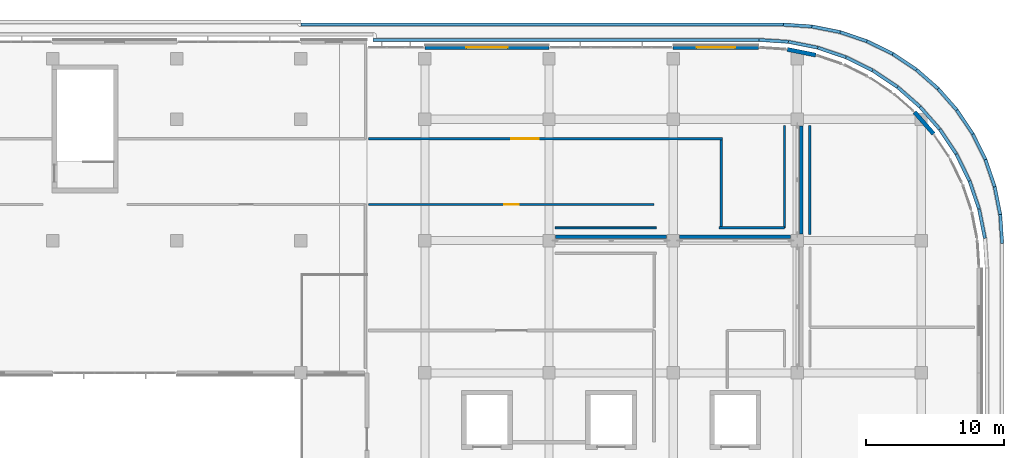
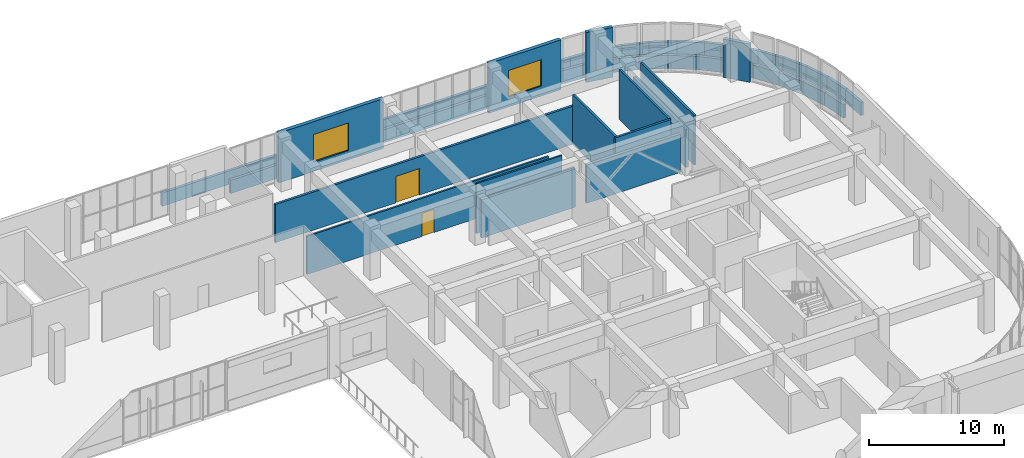
# One storey, part 73 of 96: 39 walls, 2 doors, 2 windows, 4 openings.
"""IFC4 building model written with IfcOpenShell, lengths in metres."""

from ifc_helpers import new_model, si_unit, direction, frame, frame_2d, origin, place, context, subcontext, project, spatial, rectangle, extrude, material, layer, layer_set, type_object, element, fill, save


model = new_model("IFC4")

# Units and contexts
model_context = context("Model", 3, precision=1e-05, world=origin(), true_north=direction((0.0, 1.0)))
body_context = subcontext(model_context, "Body", "Model", "MODEL_VIEW")
ifc_project = project(units=[si_unit("LENGTHUNIT", "METRE"), si_unit("AREAUNIT", "SQUARE_METRE"), si_unit("VOLUMEUNIT", "CUBIC_METRE"), si_unit("PLANEANGLEUNIT", "RADIAN"), si_unit("MASSUNIT", "GRAM", prefix="KILO")], contexts=[model_context])

# Site, building, storey
site_placement = place(None, origin())
site = spatial("IfcSite", under=ifc_project, at=site_placement, CompositionType="ELEMENT")
building_placement = place(site_placement, origin())
building = spatial("IfcBuilding", under=site, at=building_placement, Name="Cendralis Terraced Arcade", CompositionType="ELEMENT")
storey_placement = place(building_placement, frame((0.0, 0.0, 10.199951171875)))
storey = spatial("IfcBuildingStorey", under=building, at=storey_placement, Name="L02", CompositionType="ELEMENT", Elevation=10.199951171875)

# Wall, opening, window
ifc_material_1 = material(Name="Precast concrete f'c 40 MPa", Category="concrete")
ifc_layer_1 = layer(ifc_material_1, 0.300048828125, Name="WL-EXT-GRC-300")
ifc_layer_set_1 = layer_set([ifc_layer_1], Name="Precast concrete f'c 40 MPa")
wall_type_1 = type_object("IfcWallType", Name="WL-EXT-GRC-300", PredefinedType="SOLIDWALL", material=ifc_layer_set_1)
wall_1_placement = place(storey_placement, frame((130.199951171875, 112.39990234375, 0.0), z_axis=(0.0, 0.0, 1.0), x_axis=(1.0, 0.0, 0.0)))
wall_1 = element("IfcWall", 1, at=wall_1_placement, inside=storey, type_object=wall_type_1, Name="Exterior Architectural Wall EW-L02-0184", PredefinedType="SOLIDWALL", context=body_context, shape_type="SweptSolid", body=[
    extrude(rectangle(XDim=9.0, YDim=0.300048828125, at=frame_2d((4.5, 0.0))), origin(), (0.0, 0.0, 1.0), 4.51513671875),
])
opening_1_placement = place(wall_1_placement, frame((3.0, 0.0, 0.85009765625)))
opening_1 = element("IfcOpeningElement", 2, at=opening_1_placement, cuts=wall_1, Name="Opening W-08", PredefinedType="OPENING", context=body_context, shape_type="SweptSolid", body=[
    extrude(rectangle(XDim=3.0, YDim=2.5, at=frame_2d((1.5, 1.25))), frame((0.0, 0.162109375, 0.0), z_axis=(0.0, -1.0, 0.0), x_axis=(1.0, 0.0, 0.0)), (0.0, 0.0, 1.0), 0.323974609375),
])
ifc_material_2 = material(Name="Tempered solar control laminated glass", Category="glass")
window_type_1 = type_object("IfcWindowType", Name="WN-F2-3000x2500", PartitioningType="SINGLE_PANEL", PredefinedType="WINDOW", material=ifc_material_2)
window_1_placement = place(opening_1_placement, origin())
window_1 = element("IfcWindow", 3, at=window_1_placement, inside=storey, type_object=window_type_1, Name="Exterior Solar-Control Window WN-L02-0119", OverallHeight=2.5, OverallWidth=3.0, PartitioningType="SINGLE_PANEL", PredefinedType="WINDOW", context=body_context, shape_type="SweptSolid", body=[
    extrude(rectangle(XDim=3.0, YDim=2.5, at=frame_2d((1.5, 1.25))), frame((0.0, 0.030029296875, 0.0), z_axis=(0.0, -1.0, 0.0), x_axis=(1.0, 0.0, 0.0)), (0.0, 0.0, 1.0), 0.06005859375),
])
fill(opening_1, window_1)

wall_2_placement = place(storey_placement, frame((148.199951171875, 112.39990234375, 0.0), z_axis=(0.0, 0.0, 1.0), x_axis=(1.0, 0.0, 0.0)))
wall_2 = element("IfcWall", 4, at=wall_2_placement, inside=storey, type_object=wall_type_1, Name="Exterior Architectural Wall EW-L02-0185", PredefinedType="SOLIDWALL", context=body_context, shape_type="SweptSolid", body=[
    extrude(rectangle(XDim=6.199951171875, YDim=0.300048828125, at=frame_2d((3.10009765625, 0.0))), origin(), (0.0, 0.0, 1.0), 4.51513671875),
])
opening_2_placement = place(wall_2_placement, frame((1.699951171875, 0.0, 0.89990234375)))
opening_2 = element("IfcOpeningElement", 5, at=opening_2_placement, cuts=wall_2, Name="Opening W-09", PredefinedType="OPENING", context=body_context, shape_type="SweptSolid", body=[
    extrude(rectangle(XDim=2.800048828125, YDim=2.39990234375, at=frame_2d((1.39990234375, 1.199951171875))), frame((0.0, 0.162109375, 0.0), z_axis=(0.0, -1.0, 0.0), x_axis=(1.0, 0.0, 0.0)), (0.0, 0.0, 1.0), 0.323974609375),
])
window_type_2 = type_object("IfcWindowType", Name="WN-F2-2800x2400", PartitioningType="SINGLE_PANEL", PredefinedType="WINDOW", material=ifc_material_2)
window_2_placement = place(opening_2_placement, origin())
window_2 = element("IfcWindow", 6, at=window_2_placement, inside=storey, type_object=window_type_2, Name="Exterior Solar-Control Window WN-L02-0120", OverallHeight=2.39990234375, OverallWidth=2.800048828125, PartitioningType="SINGLE_PANEL", PredefinedType="WINDOW", context=body_context, shape_type="SweptSolid", body=[
    extrude(rectangle(XDim=2.800048828125, YDim=2.39990234375, at=frame_2d((1.39990234375, 1.199951171875))), frame((0.0, 0.030029296875, 0.0), z_axis=(0.0, -1.0, 0.0), x_axis=(1.0, 0.0, 0.0)), (0.0, 0.0, 1.0), 0.06005859375),
])
fill(opening_2, window_2)

# Walls
wall_3_placement = place(storey_placement, frame((156.48828125, 112.26318359375, 0.0), z_axis=(0.0, 0.0, 1.0), x_axis=(0.980773118469, -0.195151454234, 0.0)))
element("IfcWall", 7, at=wall_3_placement, inside=storey, type_object=wall_type_1, Name="Exterior Architectural Wall EW-L02-0186", PredefinedType="SOLIDWALL", context=body_context, shape_type="SweptSolid", body=[
    extrude(rectangle(XDim=2.093017578125, YDim=0.300048828125, at=frame_2d((1.04638671875, 0.0))), origin(), (0.0, 0.0, 1.0), 4.51513671875),
])
wall_4_placement = place(storey_placement, frame((165.713623046875, 107.713623046875, 0.0), z_axis=(0.0, 0.0, 1.0), x_axis=(0.659404278404, -0.751788532516, 0.0)))
element("IfcWall", 8, at=wall_4_placement, inside=storey, type_object=wall_type_1, Name="Exterior Architectural Wall EW-L02-0187", PredefinedType="SOLIDWALL", context=body_context, shape_type="SweptSolid", body=[
    extrude(rectangle(XDim=2.093017578125, YDim=0.300048828125, at=frame_2d((1.04638671875, 0.0))), origin(), (0.0, 0.0, 1.0), 3.455078125),
])
ifc_material_3 = material(Name="Autoclaved aerated concrete blockwork", Category="masonry")
ifc_layer_2 = layer(ifc_material_3, 0.260009765625, Name="WL-FIRE-260")
ifc_layer_set_2 = layer_set([ifc_layer_2], Name="Autoclaved aerated concrete blockwork")
wall_type_2 = type_object("IfcWallType", Name="WL-FIRE-260", PredefinedType="PARTITIONING", material=ifc_layer_set_2)
for number, where, z_axis, x_axis, name in (
    (9, (139.679931640625, 98.679931640625, 0.0), (0.0, 0.0, 1.0), (1.0, 0.0, 0.0), "Braced Bay Fire Enclosure Wall IW-BRC-L02-01"),
    (10, (148.679931640625, 98.679931640625, 0.0), (0.0, 0.0, 1.0), (1.0, 0.0, 0.0), "Braced Bay Fire Enclosure Wall IW-BRC-L02-02"),
):
    element("IfcWall", number, at=place(storey_placement, frame(where, z_axis=z_axis, x_axis=x_axis)), inside=storey, type_object=wall_type_2, Name=name, PredefinedType="PARTITIONING", context=body_context, shape_type="SweptSolid", body=[
        extrude(rectangle(XDim=8.0400390625, YDim=0.260009765625, at=frame_2d((4.02001953125, 0.0))), origin(), (0.0, 0.0, 1.0), 3.455078125),
    ])
wall_5_placement = place(storey_placement, frame((157.47998046875, 98.8798828125, 0.0), z_axis=(0.0, 0.0, 1.0), x_axis=(0.0, 1.0, 0.0)))
element("IfcWall", 11, at=wall_5_placement, inside=storey, type_object=wall_type_2, Name="Braced Bay Fire Enclosure Wall IW-BRC-L02-04", PredefinedType="PARTITIONING", context=body_context, shape_type="SweptSolid", body=[
    extrude(rectangle(XDim=7.840087890625, YDim=0.260009765625, at=frame_2d((3.919921875, 0.0))), origin(), (0.0, 0.0, 1.0), 3.455078125),
])
ifc_layer_3 = layer(ifc_material_1, 0.22998046875, Name="WL-PAR-230")
ifc_layer_set_3 = layer_set([ifc_layer_3], Name="Precast concrete f'c 40 MPa")
wall_type_3 = type_object("IfcWallType", Name="WL-PAR-230", PredefinedType="PARAPET", material=ifc_layer_set_3)
for number, where, z_axis, x_axis, name in (
    (12, (156.191162109375, 114.065185546875, 0.0), (0.0, 0.0, 1.0), (0.997863935765, -0.065326607906, 0.0), "Precast Concrete Roof Parapet Wall PAR-L02-037"),
    (13, (158.26220703125, 113.9306640625, 0.0), (0.0, 0.0, 1.0), (0.980791000656, -0.195061562162, 0.0), "Precast Concrete Roof Parapet Wall PAR-L02-038"),
):
    element("IfcWall", number, at=place(storey_placement, frame(where, z_axis=z_axis, x_axis=x_axis)), inside=storey, type_object=wall_type_3, Name=name, PredefinedType="PARAPET", context=body_context, shape_type="SweptSolid", body=[
        extrude(rectangle(XDim=2.0927734375, YDim=0.22998046875, at=frame_2d((1.04638671875, 0.0))), origin(), (0.0, 0.0, 1.0), 1.199951171875),
    ])
for number, where, z_axis, x_axis, name in (
    (14, (160.297607421875, 113.527099609375, 0.0), (0.0, 0.0, 1.0), (0.946919111012, -0.321471922881, 0.0), "Precast Concrete Roof Parapet Wall PAR-L02-039"),
    (15, (162.26318359375, 112.861083984375, 0.0), (0.0, 0.0, 1.0), (0.896863264481, -0.442307907259, 0.0), "Precast Concrete Roof Parapet Wall PAR-L02-040"),
):
    element("IfcWall", number, at=place(storey_placement, frame(where, z_axis=z_axis, x_axis=x_axis)), inside=storey, type_object=wall_type_3, Name=name, PredefinedType="PARAPET", context=body_context, shape_type="SweptSolid", body=[
        extrude(rectangle(XDim=2.093017578125, YDim=0.22998046875, at=frame_2d((1.04638671875, 0.0))), origin(), (0.0, 0.0, 1.0), 1.199951171875),
    ])
wall_6_placement = place(storey_placement, frame((164.125, 111.944091796875, 0.0), z_axis=(0.0, 0.0, 1.0), x_axis=(0.831511498164, -0.555507541282, 0.0)))
element("IfcWall", 16, at=wall_6_placement, inside=storey, type_object=wall_type_3, Name="Precast Concrete Roof Parapet Wall PAR-L02-041", PredefinedType="PARAPET", context=body_context, shape_type="SweptSolid", body=[
    extrude(rectangle(XDim=2.0927734375, YDim=0.22998046875, at=frame_2d((1.04638671875, 0.0))), origin(), (0.0, 0.0, 1.0), 1.199951171875),
])
for number, where, z_axis, x_axis, name in (
    (17, (165.851318359375, 110.792236328125, 0.0), (0.0, 0.0, 1.0), (0.751788532516, -0.659404278404, 0.0), "Precast Concrete Roof Parapet Wall PAR-L02-042"),
    (18, (167.412109375, 109.4248046875, 0.0), (0.0, 0.0, 1.0), (0.659404278404, -0.751788532516, 0.0), "Precast Concrete Roof Parapet Wall PAR-L02-043"),
):
    element("IfcWall", number, at=place(storey_placement, frame(where, z_axis=z_axis, x_axis=x_axis)), inside=storey, type_object=wall_type_3, Name=name, PredefinedType="PARAPET", context=body_context, shape_type="SweptSolid", body=[
        extrude(rectangle(XDim=2.093017578125, YDim=0.22998046875, at=frame_2d((1.04638671875, 0.0))), origin(), (0.0, 0.0, 1.0), 1.199951171875),
    ])
wall_7_placement = place(storey_placement, frame((168.781494140625, 107.865234375, 0.0), z_axis=(0.0, 0.0, 1.0), x_axis=(0.555507541282, -0.831511498164, 0.0)))
element("IfcWall", 19, at=wall_7_placement, inside=storey, type_object=wall_type_3, Name="Precast Concrete Roof Parapet Wall PAR-L02-044", PredefinedType="PARAPET", context=body_context, shape_type="SweptSolid", body=[
    extrude(rectangle(XDim=2.0927734375, YDim=0.22998046875, at=frame_2d((1.04638671875, 0.0))), origin(), (0.0, 0.0, 1.0), 1.199951171875),
])
for number, where, z_axis, x_axis, name in (
    (20, (169.935302734375, 106.140380859375, 0.0), (0.0, 0.0, 1.0), (0.442307907259, -0.896863264481, 0.0), "Precast Concrete Roof Parapet Wall PAR-L02-045"),
    (21, (170.854248046875, 104.279541015625, 0.0), (0.0, 0.0, 1.0), (0.321471922881, -0.946919111012, 0.0), "Precast Concrete Roof Parapet Wall PAR-L02-046"),
):
    element("IfcWall", number, at=place(storey_placement, frame(where, z_axis=z_axis, x_axis=x_axis)), inside=storey, type_object=wall_type_3, Name=name, PredefinedType="PARAPET", context=body_context, shape_type="SweptSolid", body=[
        extrude(rectangle(XDim=2.093017578125, YDim=0.22998046875, at=frame_2d((1.04638671875, 0.0))), origin(), (0.0, 0.0, 1.0), 1.199951171875),
    ])
for number, where, z_axis, x_axis, name in (
    (22, (171.5224609375, 102.314697265625, 0.0), (0.0, 0.0, 1.0), (0.195061562162, -0.980791000656, 0.0), "Precast Concrete Roof Parapet Wall PAR-L02-047"),
    (23, (171.928466796875, 100.279541015625, 0.0), (0.0, 0.0, 1.0), (0.065326607906, -0.997863935765, 0.0), "Precast Concrete Roof Parapet Wall PAR-L02-048"),
):
    element("IfcWall", number, at=place(storey_placement, frame(where, z_axis=z_axis, x_axis=x_axis)), inside=storey, type_object=wall_type_3, Name=name, PredefinedType="PARAPET", context=body_context, shape_type="SweptSolid", body=[
        extrude(rectangle(XDim=2.0927734375, YDim=0.22998046875, at=frame_2d((1.04638671875, 0.0))), origin(), (0.0, 0.0, 1.0), 1.199951171875),
    ])
for number, where, z_axis, x_axis, name in (
    (24, (170.812744140625, 98.569580078125, 0.0), (0.0, 0.0, 1.0), (-0.195044967028, 0.980794300981, 0.0), "Precast Concrete Roof Parapet Wall PAR-L02-071"),
    (25, (170.38916015625, 100.693359375, 0.0), (0.0, 0.0, 1.0), (-0.321440134853, 0.946929902213, 0.0), "Precast Concrete Roof Parapet Wall PAR-L02-072"),
):
    element("IfcWall", number, at=place(storey_placement, frame(where, z_axis=z_axis, x_axis=x_axis)), inside=storey, type_object=wall_type_3, Name=name, PredefinedType="PARAPET", context=body_context, shape_type="SweptSolid", body=[
        extrude(rectangle(XDim=2.14794921875, YDim=0.22998046875, at=frame_2d((1.073974609375, 0.0))), origin(), (0.0, 0.0, 1.0), 1.199951171875),
    ])
for number, where, z_axis, x_axis, name in (
    (26, (169.692138671875, 102.74365234375, 0.0), (0.0, 0.0, 1.0), (-0.442342577104, 0.896846165449, 0.0), "Precast Concrete Roof Parapet Wall PAR-L02-073"),
    (27, (168.733154296875, 104.685302734375, 0.0), (0.0, 0.0, 1.0), (-0.555539202765, 0.831490345218, 0.0), "Precast Concrete Roof Parapet Wall PAR-L02-074"),
):
    element("IfcWall", number, at=place(storey_placement, frame(where, z_axis=z_axis, x_axis=x_axis)), inside=storey, type_object=wall_type_3, Name=name, PredefinedType="PARAPET", context=body_context, shape_type="SweptSolid", body=[
        extrude(rectangle(XDim=2.148193359375, YDim=0.22998046875, at=frame_2d((1.07421875, 0.0))), origin(), (0.0, 0.0, 1.0), 1.199951171875),
    ])
for number, where, z_axis, x_axis, name in (
    (28, (167.529052734375, 106.4853515625, 0.0), (0.0, 0.0, 1.0), (-0.659333010412, 0.751851036696, 0.0), "Precast Concrete Roof Parapet Wall PAR-L02-075"),
    (29, (166.100341796875, 108.11279296875, 0.0), (0.0, 0.0, 1.0), (-0.751851036696, 0.659333010412, 0.0), "Precast Concrete Roof Parapet Wall PAR-L02-076"),
):
    element("IfcWall", number, at=place(storey_placement, frame(where, z_axis=z_axis, x_axis=x_axis)), inside=storey, type_object=wall_type_3, Name=name, PredefinedType="PARAPET", context=body_context, shape_type="SweptSolid", body=[
        extrude(rectangle(XDim=2.14794921875, YDim=0.22998046875, at=frame_2d((1.073974609375, 0.0))), origin(), (0.0, 0.0, 1.0), 1.199951171875),
    ])
for number, where, z_axis, x_axis, name in (
    (30, (164.471435546875, 109.539794921875, 0.0), (0.0, 0.0, 1.0), (-0.831490345218, 0.555539202765, 0.0), "Precast Concrete Roof Parapet Wall PAR-L02-077"),
    (31, (162.670166015625, 110.741943359375, 0.0), (0.0, 0.0, 1.0), (-0.896846165449, 0.442342577104, 0.0), "Precast Concrete Roof Parapet Wall PAR-L02-078"),
):
    element("IfcWall", number, at=place(storey_placement, frame(where, z_axis=z_axis, x_axis=x_axis)), inside=storey, type_object=wall_type_3, Name=name, PredefinedType="PARAPET", context=body_context, shape_type="SweptSolid", body=[
        extrude(rectangle(XDim=2.148193359375, YDim=0.22998046875, at=frame_2d((1.07421875, 0.0))), origin(), (0.0, 0.0, 1.0), 1.199951171875),
    ])
for number, where, z_axis, x_axis, name in (
    (32, (160.727294921875, 111.69873046875, 0.0), (0.0, 0.0, 1.0), (-0.946929902213, 0.321440134853, 0.0), "Precast Concrete Roof Parapet Wall PAR-L02-079"),
    (33, (158.67626953125, 112.393798828125, 0.0), (0.0, 0.0, 1.0), (-0.980794300981, 0.195044967028, 0.0), "Precast Concrete Roof Parapet Wall PAR-L02-080"),
):
    element("IfcWall", number, at=place(storey_placement, frame(where, z_axis=z_axis, x_axis=x_axis)), inside=storey, type_object=wall_type_3, Name=name, PredefinedType="PARAPET", context=body_context, shape_type="SweptSolid", body=[
        extrude(rectangle(XDim=2.14794921875, YDim=0.22998046875, at=frame_2d((1.073974609375, 0.0))), origin(), (0.0, 0.0, 1.0), 1.199951171875),
    ])
wall_8_placement = place(storey_placement, frame((156.552001953125, 112.815185546875, 0.0), z_axis=(0.0, 0.0, 1.0), x_axis=(-0.997863923558, 0.065326794354, 0.0)))
element("IfcWall", 34, at=wall_8_placement, inside=storey, type_object=wall_type_3, Name="Precast Concrete Roof Parapet Wall PAR-L02-081", PredefinedType="PARAPET", context=body_context, shape_type="SweptSolid", body=[
    extrude(rectangle(XDim=2.134033203125, YDim=0.22998046875, at=frame_2d((1.06689453125, 0.0))), origin(), (0.0, 0.0, 1.0), 1.199951171875),
])
wall_9_placement = place(storey_placement, frame((154.413818359375, 112.955078125, 0.0), z_axis=(0.0, 0.0, 1.0), x_axis=(-1.0, 0.0, 0.0)))
element("IfcWall", 35, at=wall_9_placement, inside=storey, type_object=wall_type_3, Name="Precast Concrete Roof Parapet Wall PAR-L02-082", PredefinedType="PARAPET", context=body_context, shape_type="SweptSolid", body=[
    extrude(rectangle(XDim=27.993896484375, YDim=0.22998046875, at=frame_2d((13.9970703125, 0.0))), origin(), (0.0, 0.0, 1.0), 1.199951171875),
])
wall_10_placement = place(storey_placement, frame((121.199951171875, 114.06494140625, 0.0), z_axis=(0.0, 0.0, 1.0), x_axis=(1.0, 0.0, 0.0)))
element("IfcWall", 36, at=wall_10_placement, inside=storey, type_object=wall_type_3, Name="Precast Concrete Roof Parapet Wall PAR-L02-096", PredefinedType="PARAPET", context=body_context, shape_type="SweptSolid", body=[
    extrude(rectangle(XDim=35.0, YDim=0.22998046875, at=frame_2d((17.5, 0.0))), origin(), (0.0, 0.0, 1.0), 1.199951171875),
])
ifc_material_4 = material(Name="Gypsum plasterboard acoustic partition", Category="concrete")
ifc_layer_4 = layer(ifc_material_4, 0.14208984375, Name="WL-PART-142")
ifc_layer_set_4 = layer_set([ifc_layer_4], Name="Gypsum plasterboard acoustic partition")
wall_type_4 = type_object("IfcWallType", Name="WL-PART-142", PredefinedType="PARTITIONING", material=ifc_layer_set_4)
wall_11_placement = place(storey_placement, frame((146.98095703125, 99.320068359375, 0.0), z_axis=(0.0, 0.0, 1.0), x_axis=(-1.0, 0.0, 0.0)))
element("IfcWall", 37, at=wall_11_placement, inside=storey, type_object=wall_type_4, Name="Interior Partition Wall IW-L02-0521", PredefinedType="PARTITIONING", context=body_context, shape_type="SweptSolid", body=[
    extrude(rectangle(XDim=7.3310546875, YDim=0.14208984375, at=frame_2d((3.66552734375, 0.0))), origin(), (0.0, 0.0, 1.0), 4.51513671875),
])

# Wall, opening, door
ifc_layer_5 = layer(ifc_material_4, 0.14990234375, Name="WL-PART-150")
ifc_layer_set_5 = layer_set([ifc_layer_5], Name="Gypsum plasterboard acoustic partition")
wall_type_5 = type_object("IfcWallType", Name="WL-PART-150", PredefinedType="PARTITIONING", material=ifc_layer_set_5)
wall_12_placement = place(storey_placement, frame((126.1201171875, 101.02001953125, 0.0), z_axis=(0.0, 0.0, 1.0), x_axis=(1.0, 0.0, 0.0)))
wall_12 = element("IfcWall", 38, at=wall_12_placement, inside=storey, type_object=wall_type_5, Name="Interior Partition Wall IW-L02-0519", PredefinedType="PARTITIONING", context=body_context, shape_type="SweptSolid", body=[
    extrude(rectangle(XDim=20.699951171875, YDim=0.14990234375, at=frame_2d((10.35009765625, 0.0))), origin(), (0.0, 0.0, 1.0), 3.455078125),
])
opening_3_placement = place(wall_12_placement, frame((9.824951171875, 0.0, 0.0)))
opening_3 = element("IfcOpeningElement", 39, at=opening_3_placement, cuts=wall_12, Name="Opening D-L02-138", PredefinedType="OPENING", context=body_context, shape_type="SweptSolid", body=[
    extrude(rectangle(XDim=1.050048828125, YDim=2.10009765625, at=frame_2d((0.52490234375, 1.050048828125))), frame((0.0, 0.0869140625, 0.0), z_axis=(0.0, -1.0, 0.0), x_axis=(1.0, 0.0, 0.0)), (0.0, 0.0, 1.0), 0.173828125),
])
ifc_material_5 = material(Name="Solid core Andean oak veneer door leaf", Category="aluminium")
door_type_1 = type_object("IfcDoorType", Name="ID-RM-1050x2100", OperationType="NOTDEFINED", PredefinedType="DOOR", material=ifc_material_5)
door_1_placement = place(opening_3_placement, origin())
door_1 = element("IfcDoor", 40, at=door_1_placement, inside=storey, type_object=door_type_1, Name="Buying and Store Management Offices - L02 Door D-L02-138", OperationType="SINGLE_SWING_LEFT", OverallHeight=2.10009765625, OverallWidth=1.050048828125, PredefinedType="DOOR", context=body_context, shape_type="SweptSolid", body=[
    extrude(rectangle(XDim=1.050048828125, YDim=2.10009765625, at=frame_2d((0.52490234375, 1.050048828125))), frame((0.0, 0.02490234375, 0.0), z_axis=(0.0, -1.0, 0.0), x_axis=(1.0, 0.0, 0.0)), (0.0, 0.0, 1.0), 0.050048828125),
])
fill(opening_3, door_1)

# Walls
ifc_layer_6 = layer(ifc_material_4, 0.1650390625, Name="WL-PART-165")
ifc_layer_set_6 = layer_set([ifc_layer_6], Name="Gypsum plasterboard acoustic partition")
wall_type_6 = type_object("IfcWallType", Name="WL-PART-165", PredefinedType="PARTITIONING", material=ifc_layer_set_6)
wall_13_placement = place(storey_placement, frame((156.280029296875, 106.75, 0.0), z_axis=(0.0, 0.0, 1.0), x_axis=(0.0, -1.0, 0.0)))
element("IfcWall", 41, at=wall_13_placement, inside=storey, type_object=wall_type_6, Name="Interior Partition Wall IW-L02-0517", PredefinedType="PARTITIONING", context=body_context, shape_type="SweptSolid", body=[
    extrude(rectangle(XDim=7.429931640625, YDim=0.1650390625, at=frame_2d((3.71484375, 0.0))), origin(), (0.0, 0.0, 1.0), 4.51513671875),
])
ifc_layer_7 = layer(ifc_material_4, 0.169921875, Name="WL-PART-170")
ifc_layer_set_7 = layer_set([ifc_layer_7], Name="Gypsum plasterboard acoustic partition")
wall_type_7 = type_object("IfcWallType", Name="WL-PART-170", PredefinedType="PARTITIONING", material=ifc_layer_set_7)
wall_14_placement = place(storey_placement, frame((158.1201171875, 98.85009765625, 0.0), z_axis=(0.0, 0.0, 1.0), x_axis=(0.0, 1.0, 0.0)))
element("IfcWall", 42, at=wall_14_placement, inside=storey, type_object=wall_type_7, Name="Interior Partition Wall IW-L02-0516", PredefinedType="PARTITIONING", context=body_context, shape_type="SweptSolid", body=[
    extrude(rectangle(XDim=7.89990234375, YDim=0.169921875, at=frame_2d((3.949951171875, 0.0))), origin(), (0.0, 0.0, 1.0), 4.51513671875),
])
ifc_layer_8 = layer(ifc_material_4, 0.179931640625, Name="WL-PART-180")
ifc_layer_set_8 = layer_set([ifc_layer_8], Name="Gypsum plasterboard acoustic partition")
wall_type_8 = type_object("IfcWallType", Name="WL-PART-180", PredefinedType="PARTITIONING", material=ifc_layer_set_8)
wall_15_placement = place(storey_placement, frame((156.280029296875, 99.320068359375, 0.0), z_axis=(0.0, 0.0, 1.0), x_axis=(-1.0, 0.0, 0.0)))
element("IfcWall", 43, at=wall_15_placement, inside=storey, type_object=wall_type_8, Name="Interior Partition Wall IW-L02-0514", PredefinedType="PARTITIONING", context=body_context, shape_type="SweptSolid", body=[
    extrude(rectangle(XDim=4.760986328125, YDim=0.179931640625, at=frame_2d((2.38037109375, 0.0))), origin(), (0.0, 0.0, 1.0), 4.51513671875),
])
ifc_layer_9 = layer(ifc_material_4, 0.18505859375, Name="WL-PART-185")
ifc_layer_set_9 = layer_set([ifc_layer_9], Name="Gypsum plasterboard acoustic partition")
wall_type_9 = type_object("IfcWallType", Name="WL-PART-185", PredefinedType="PARTITIONING", material=ifc_layer_set_9)
wall_16_placement = place(storey_placement, frame((151.679931640625, 99.409912109375, 0.0), z_axis=(0.0, 0.0, 1.0), x_axis=(0.0, 1.0, 0.0)))
element("IfcWall", 44, at=wall_16_placement, inside=storey, type_object=wall_type_9, Name="Interior Partition Wall IW-L02-0513", PredefinedType="PARTITIONING", context=body_context, shape_type="SweptSolid", body=[
    extrude(rectangle(XDim=6.275146484375, YDim=0.18505859375, at=frame_2d((3.1376953125, 0.0))), origin(), (0.0, 0.0, 1.0), 4.51513671875),
])

# Wall, opening, door
ifc_layer_10 = layer(ifc_material_4, 0.18994140625, Name="WL-PART-190")
ifc_layer_set_10 = layer_set([ifc_layer_10], Name="Gypsum plasterboard acoustic partition")
wall_type_10 = type_object("IfcWallType", Name="WL-PART-190", PredefinedType="PARTITIONING", material=ifc_layer_set_10)
wall_17_placement = place(storey_placement, frame((151.7724609375, 105.780029296875, 0.0), z_axis=(0.0, 0.0, 1.0), x_axis=(-1.0, 0.0, 0.0)))
wall_17 = element("IfcWall", 45, at=wall_17_placement, inside=storey, type_object=wall_type_10, Name="Interior Partition Wall IW-L02-0512", PredefinedType="PARTITIONING", context=body_context, shape_type="SweptSolid", body=[
    extrude(rectangle(XDim=25.65234375, YDim=0.18994140625, at=frame_2d((12.826171875, 0.0))), origin(), (0.0, 0.0, 1.0), 3.455078125),
])
opening_4_placement = place(wall_17_placement, frame((13.302490234375, 0.0, 0.0)))
opening_4 = element("IfcOpeningElement", 46, at=opening_4_placement, cuts=wall_17, Name="Opening D-L02-137", PredefinedType="OPENING", context=body_context, shape_type="SweptSolid", body=[
    extrude(rectangle(XDim=2.0, YDim=2.39990234375, at=frame_2d((1.0, 1.199951171875))), frame((0.0, 0.10693359375, 0.0), z_axis=(0.0, -1.0, 0.0), x_axis=(1.0, 0.0, 0.0)), (0.0, 0.0, 1.0), 0.2138671875),
])
door_type_2 = type_object("IfcDoorType", Name="ID-DEP-2000x2400", OperationType="DOUBLE_DOOR_SINGLE_SWING", PredefinedType="DOOR", material=ifc_material_5)
door_2_placement = place(opening_4_placement, origin())
door_2 = element("IfcDoor", 47, at=door_2_placement, inside=storey, type_object=door_type_2, Name="Buying and Store Management Offices - L02 Door D-L02-137", OperationType="DOUBLE_DOOR_SINGLE_SWING", OverallHeight=2.39990234375, OverallWidth=2.0, PredefinedType="DOOR", context=body_context, shape_type="SweptSolid", body=[
    extrude(rectangle(XDim=2.0, YDim=2.39990234375, at=frame_2d((1.0, 1.199951171875))), frame((0.0, 0.02490234375, 0.0), z_axis=(0.0, -1.0, 0.0), x_axis=(1.0, 0.0, 0.0)), (0.0, 0.0, 1.0), 0.050048828125),
])
fill(opening_4, door_2)

save(model, "model.ifc")
